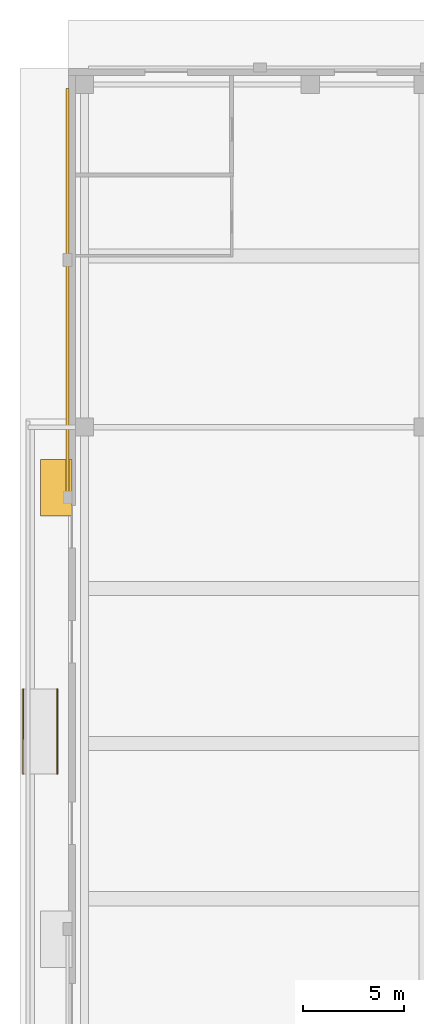
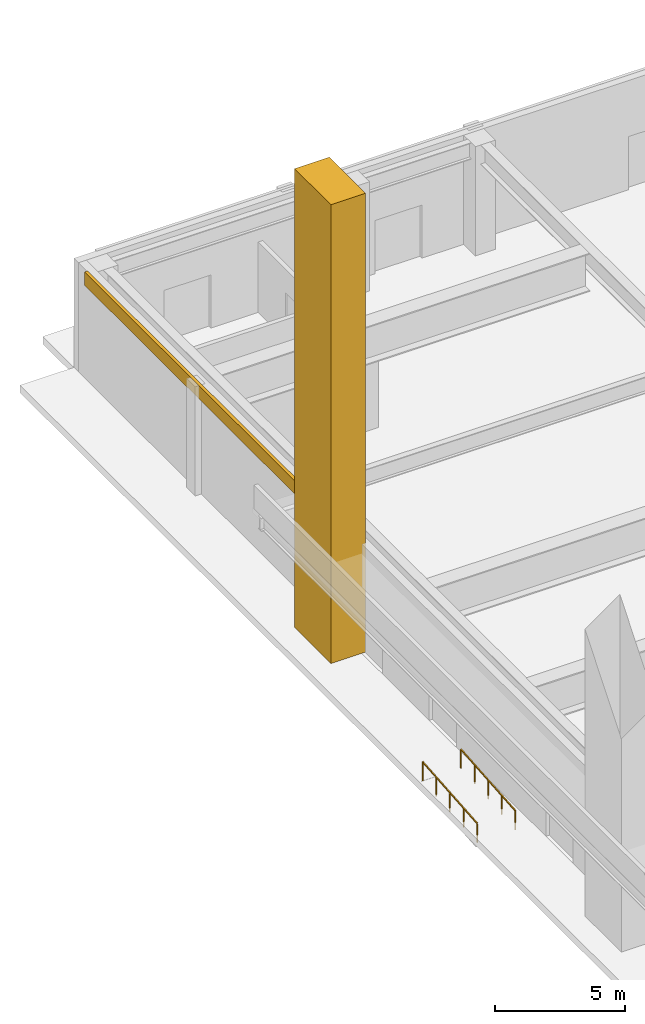
# One storey, part 20 of 26: 2 coverings, 2 railings.
"""IFC4 building model written with IfcOpenShell, lengths in metres."""

from ifc_helpers import new_model, si_unit, direction, frame, origin, origin_2d, place, context, subcontext, project, spatial, rectangle, extrude, material, layer, layer_set, type_object, element, save


model = new_model("IFC4")

# Units and contexts
model_context = context("Model", 3, precision=1e-05, world=origin(), true_north=direction((0.0, 1.0)))
body_context = subcontext(model_context, "Body", "Model", "MODEL_VIEW")
ifc_project = project(units=[si_unit("LENGTHUNIT", "METRE"), si_unit("AREAUNIT", "SQUARE_METRE"), si_unit("VOLUMEUNIT", "CUBIC_METRE"), si_unit("PLANEANGLEUNIT", "RADIAN"), si_unit("MASSUNIT", "GRAM", prefix="KILO")], contexts=[model_context])

# Site, building, storey
site_placement = place(None, origin())
site = spatial("IfcSite", under=ifc_project, at=site_placement, CompositionType="ELEMENT")
building_placement = place(site_placement, origin())
building = spatial("IfcBuilding", under=site, at=building_placement, Name="Tashvorn Skyway Center", CompositionType="ELEMENT")
storey_placement = place(building_placement, origin())
storey = spatial("IfcBuildingStorey", under=building, at=storey_placement, Name="L00", CompositionType="ELEMENT", Elevation=0.0)

# Coverings
ifc_material_1 = material(Name="Precast concrete C40/50", Category="concrete")
ifc_layer = layer(ifc_material_1, 0.35009765625)
ifc_layer_set = layer_set([ifc_layer], Name="Precast concrete C40/50")
covering_type = type_object("IfcCoveringType", Name="COV-STONE-TRIM", PredefinedType="CLADDING", material=ifc_layer_set)
covering_1_placement = place(storey_placement, frame((-0.0400390625, 53.0, 4.52001953125), z_axis=(0.0, 0.0, 1.0), x_axis=(1.0, 0.0, 0.0)))
element("IfcCovering", 1, at=covering_1_placement, inside=storey, type_object=covering_type, Name="L00 Mojave Limestone Entablature Band W2", PredefinedType="CLADDING", context=body_context, shape_type="SweptSolid", body=[
    extrude(rectangle(XDim=0.139892578125, YDim=20.0, at=origin_2d()), origin(), (0.0, 0.0, 1.0), 0.6201171875),
])
covering_2_placement = place(storey_placement, frame((-0.60009765625, 43.199951171875, 0.0), z_axis=(0.0, 0.0, 1.0), x_axis=(1.0, 0.0, 0.0)))
element("IfcCovering", 2, at=covering_2_placement, inside=storey, type_object=covering_type, Name="Postmodern Station Portal Limestone Pylon WEST 2", PredefinedType="CLADDING", context=body_context, shape_type="SweptSolid", body=[
    extrude(rectangle(XDim=1.550048828125, YDim=2.800048828125, at=origin_2d()), origin(), (0.0, 0.0, 1.0), 21.60009765625),
])

# Railings
ifc_material_2 = material(Name="Brushed stainless steel 316", Category="steel")
railing_type = type_object("IfcRailingType", Name="RAIL-HAND-920", PredefinedType="HANDRAIL", material=ifc_material_2)
for number, where, name in (
    (3, (-2.25, 29.0, -0.35009765625), "Accessible Ramp W1 Handrail L"),
    (4, (-0.550048828125, 29.0, -0.35009765625), "Accessible Ramp W1 Handrail R"),
):
    element("IfcRailing", number, at=place(storey_placement, frame(where)), inside=storey, type_object=railing_type, Name=name, PredefinedType="HANDRAIL", context=body_context, shape_type="SweptSolid", body=[
        extrude(rectangle(XDim=0.048095703125, YDim=0.048095703125, at=origin_2d()), frame((0.0, 0.0, 0.89599609375), z_axis=(0.0, 0.996543760423, 0.083069450238), x_axis=(-1.0, 0.0, 0.0)), (0.0, 0.0, 1.0), 4.214599609375),
        extrude(rectangle(XDim=0.0419921875, YDim=0.0419921875, at=origin_2d()), origin(), (0.0, 0.0, 1.0), 0.871826171875),
        extrude(rectangle(XDim=0.0419921875, YDim=0.0419921875, at=origin_2d()), frame((0.0, 1.050048828125, 0.08740234375)), (0.0, 0.0, 1.0), 0.871826171875),
        extrude(rectangle(XDim=0.0419921875, YDim=0.0419921875, at=origin_2d()), frame((0.0, 2.10009765625, 0.175048828125)), (0.0, 0.0, 1.0), 0.871826171875),
        extrude(rectangle(XDim=0.0419921875, YDim=0.0419921875, at=origin_2d()), frame((0.0, 3.14990234375, 0.2626953125)), (0.0, 0.0, 1.0), 0.871826171875),
        extrude(rectangle(XDim=0.0419921875, YDim=0.0419921875, at=origin_2d()), frame((0.0, 4.199951171875, 0.35009765625)), (0.0, 0.0, 1.0), 0.871826171875),
    ])

save(model, "model.ifc")
